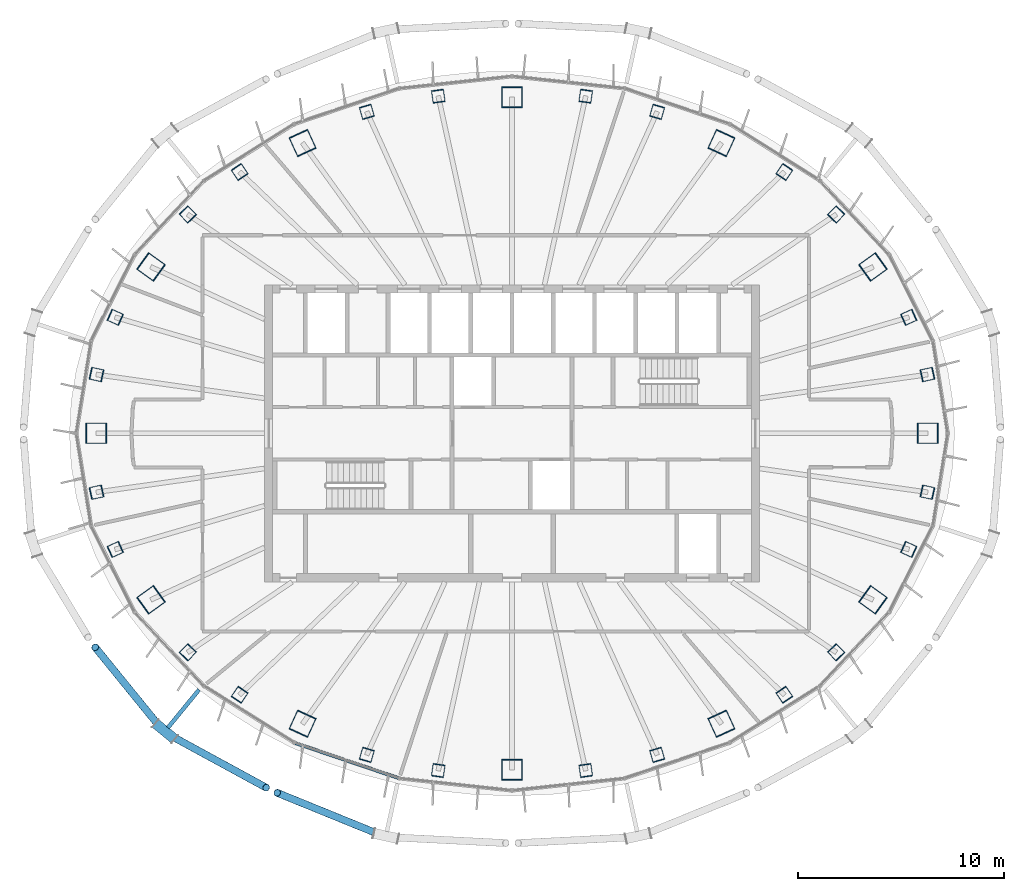
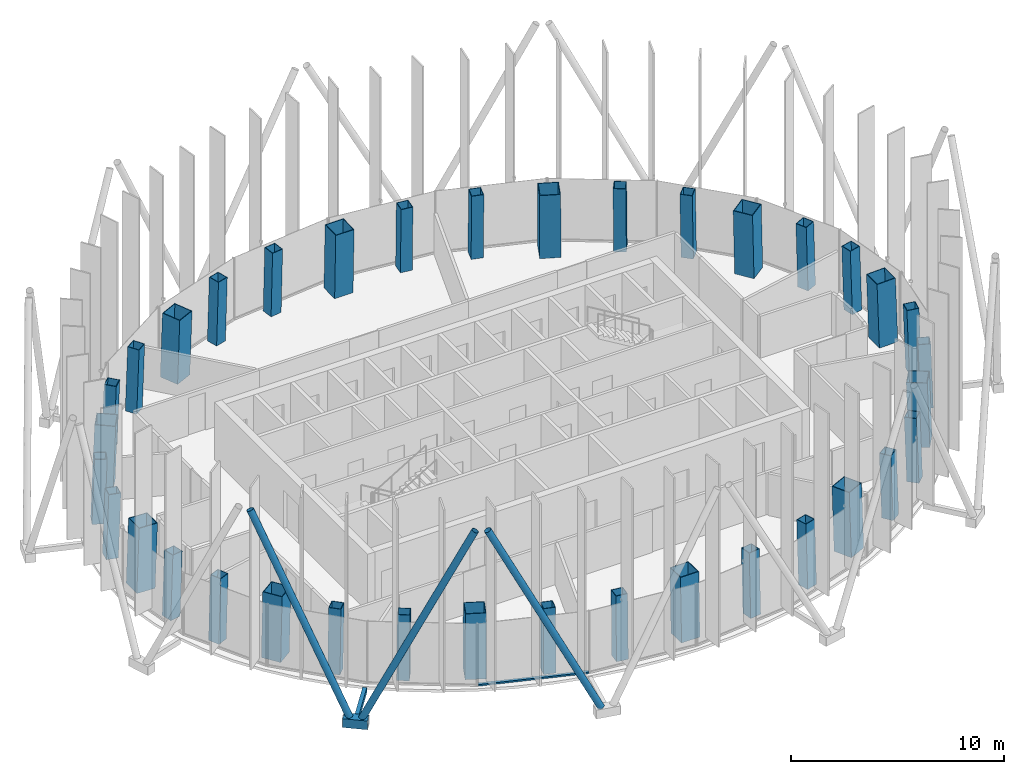
# One storey, part 1 of 19: 36 columns, 6 members, 1 element without a shape of its own.
"""IFC4 building model written with IfcOpenShell, lengths in metres."""

from ifc_helpers import new_model, si_unit, direction, frame, origin, origin_2d, place, context, subcontext, project, spatial, rectangle, hollow_rectangle, hollow_circle, extrude, material, layer, layer_set, material_profile, profile_set, type_object, element, aggregate, save


model = new_model("IFC4")

# Units and contexts
model_context = context("Model", 3, precision=1e-05, world=origin(), true_north=direction((0.0, 1.0)))
body_context = subcontext(model_context, "Body", "Model", "MODEL_VIEW")
ifc_project = project(units=[si_unit("LENGTHUNIT", "METRE"), si_unit("AREAUNIT", "SQUARE_METRE"), si_unit("VOLUMEUNIT", "CUBIC_METRE"), si_unit("PLANEANGLEUNIT", "RADIAN"), si_unit("MASSUNIT", "GRAM", prefix="KILO")], contexts=[model_context])

# Site, building, storey
site_placement = place(None, origin())
site = spatial("IfcSite", under=ifc_project, at=site_placement, CompositionType="ELEMENT")
building_placement = place(site_placement, origin())
building = spatial("IfcBuilding", under=site, at=building_placement, Name="Siaravel Broadcast Tower", CompositionType="ELEMENT")
storey_placement = place(building_placement, frame((0.0, 0.0, 239.300048828125)))
storey = spatial("IfcBuildingStorey", under=building, at=storey_placement, Name="L58", CompositionType="ELEMENT", Elevation=239.300048828125)

# Columns
ifc_material_1 = material(Name="Concrete C70/85", Category="concrete")
ifc_material_profile_1 = material_profile(ifc_material_1, hollow_rectangle(XDim=1.0, YDim=1.0, WallThickness=0.031982421875, at=origin_2d()))
ifc_profile_set_1 = profile_set([ifc_material_profile_1], Name="Concrete C70/85")
column_type_1 = type_object("IfcColumnType", Name="COL-CFT BOX 1000x1000x32", PredefinedType="COLUMN", material=ifc_profile_set_1)
column_1_placement = place(storey_placement, frame((20.159912109375, 0.0, 0.0), z_axis=(-0.034555398, 0.0, 0.999402784), x_axis=(0.0, -1.0, 0.0)))
element("IfcColumn", 1, at=column_1_placement, inside=storey, type_object=column_type_1, Name="Megacolumn MC01", PredefinedType="COLUMN", context=body_context, shape_type="SweptSolid", body=[
    extrude(hollow_rectangle(XDim=1.0, YDim=1.0, WallThickness=0.031982421875, at=origin_2d()), origin(), (0.0, 0.0, 1.0), 3.7021484375),
])
column_2_placement = place(storey_placement, frame((17.512451171875, 8.073486328125, 0.0), z_axis=(-0.029940667, -0.01417895, 0.999451106), x_axis=(0.584425441, -0.811425258, 0.00599622)))
element("IfcColumn", 2, at=column_2_placement, inside=storey, type_object=column_type_1, Name="Megacolumn MC02", PredefinedType="COLUMN", context=body_context, shape_type="SweptSolid", body=[
    extrude(hollow_rectangle(XDim=1.0, YDim=1.0, WallThickness=0.031982421875, at=origin_2d()), origin(), (0.0, 0.0, 1.0), 3.701904296875),
])
column_3_placement = place(storey_placement, frame((10.15966796875, 14.0869140625, 0.0), z_axis=(-0.017280209, -0.024601214, 0.999547985), x_axis=(0.909227321, -0.416264001, 0.005473513)))
element("IfcColumn", 3, at=column_3_placement, inside=storey, type_object=column_type_1, Name="Megacolumn MC03", PredefinedType="COLUMN", context=body_context, shape_type="SweptSolid", body=[
    extrude(hollow_rectangle(XDim=1.0, YDim=1.0, WallThickness=0.031982421875, at=origin_2d()), origin(), (0.0, 0.0, 1.0), 3.70166015625),
])
column_4_placement = place(storey_placement, frame((0.0, 16.314208984375, 0.0), z_axis=(0.0, -0.028296154, 0.999599584), x_axis=(1.0, 0.0, 0.0)))
element("IfcColumn", 4, at=column_4_placement, inside=storey, type_object=column_type_1, Name="Megacolumn MC04", PredefinedType="COLUMN", context=body_context, shape_type="SweptSolid", body=[
    extrude(hollow_rectangle(XDim=1.0, YDim=1.0, WallThickness=0.031982421875, at=origin_2d()), origin(), (0.0, 0.0, 1.0), 3.701416015625),
])
column_5_placement = place(storey_placement, frame((-10.15966796875, 14.0869140625, 0.0), z_axis=(0.017280209, -0.024601214, 0.999547985), x_axis=(0.909227321, 0.416264001, -0.005473513)))
element("IfcColumn", 5, at=column_5_placement, inside=storey, type_object=column_type_1, Name="Megacolumn MC05", PredefinedType="COLUMN", context=body_context, shape_type="SweptSolid", body=[
    extrude(hollow_rectangle(XDim=1.0, YDim=1.0, WallThickness=0.031982421875, at=origin_2d()), origin(), (0.0, 0.0, 1.0), 3.70166015625),
])
column_6_placement = place(storey_placement, frame((-17.512451171875, 8.073486328125, 0.0), z_axis=(0.029940667, -0.01417895, 0.999451106), x_axis=(0.584425441, 0.811425258, -0.00599622)))
element("IfcColumn", 6, at=column_6_placement, inside=storey, type_object=column_type_1, Name="Megacolumn MC06", PredefinedType="COLUMN", context=body_context, shape_type="SweptSolid", body=[
    extrude(hollow_rectangle(XDim=1.0, YDim=1.0, WallThickness=0.031982421875, at=origin_2d()), origin(), (0.0, 0.0, 1.0), 3.701904296875),
])
column_7_placement = place(storey_placement, frame((-20.159912109375, 0.0, 0.0), z_axis=(0.034555398, 0.0, 0.999402784), x_axis=(0.0, 1.0, 0.0)))
element("IfcColumn", 7, at=column_7_placement, inside=storey, type_object=column_type_1, Name="Megacolumn MC07", PredefinedType="COLUMN", context=body_context, shape_type="SweptSolid", body=[
    extrude(hollow_rectangle(XDim=1.0, YDim=1.0, WallThickness=0.031982421875, at=origin_2d()), origin(), (0.0, 0.0, 1.0), 3.7021484375),
])
column_8_placement = place(storey_placement, frame((-17.512451171875, -8.073486328125, 0.0), z_axis=(0.029940667, 0.01417895, 0.999451106), x_axis=(-0.584425441, 0.811425258, 0.00599622)))
element("IfcColumn", 8, at=column_8_placement, inside=storey, type_object=column_type_1, Name="Megacolumn MC08", PredefinedType="COLUMN", context=body_context, shape_type="SweptSolid", body=[
    extrude(hollow_rectangle(XDim=1.0, YDim=1.0, WallThickness=0.031982421875, at=origin_2d()), origin(), (0.0, 0.0, 1.0), 3.701904296875),
])
column_9_placement = place(storey_placement, frame((-10.15966796875, -14.0869140625, 0.0), z_axis=(0.017280209, 0.024601214, 0.999547985), x_axis=(-0.909227321, 0.416264001, 0.005473513)))
element("IfcColumn", 9, at=column_9_placement, inside=storey, type_object=column_type_1, Name="Megacolumn MC09", PredefinedType="COLUMN", context=body_context, shape_type="SweptSolid", body=[
    extrude(hollow_rectangle(XDim=1.0, YDim=1.0, WallThickness=0.031982421875, at=origin_2d()), origin(), (0.0, 0.0, 1.0), 3.70166015625),
])
column_10_placement = place(storey_placement, frame((0.0, -16.314208984375, 0.0), z_axis=(0.0, 0.028296154, 0.999599584), x_axis=(-1.0, 0.0, 0.0)))
element("IfcColumn", 10, at=column_10_placement, inside=storey, type_object=column_type_1, Name="Megacolumn MC10", PredefinedType="COLUMN", context=body_context, shape_type="SweptSolid", body=[
    extrude(hollow_rectangle(XDim=1.0, YDim=1.0, WallThickness=0.031982421875, at=origin_2d()), origin(), (0.0, 0.0, 1.0), 3.701416015625),
])
column_11_placement = place(storey_placement, frame((10.15966796875, -14.0869140625, 0.0), z_axis=(-0.017280209, 0.024601214, 0.999547985), x_axis=(-0.909227321, -0.416264001, -0.005473513)))
element("IfcColumn", 11, at=column_11_placement, inside=storey, type_object=column_type_1, Name="Megacolumn MC11", PredefinedType="COLUMN", context=body_context, shape_type="SweptSolid", body=[
    extrude(hollow_rectangle(XDim=1.0, YDim=1.0, WallThickness=0.031982421875, at=origin_2d()), origin(), (0.0, 0.0, 1.0), 3.70166015625),
])
column_12_placement = place(storey_placement, frame((17.512451171875, -8.073486328125, 0.0), z_axis=(-0.029940667, 0.01417895, 0.999451106), x_axis=(-0.584425441, -0.811425258, -0.00599622)))
element("IfcColumn", 12, at=column_12_placement, inside=storey, type_object=column_type_1, Name="Megacolumn MC12", PredefinedType="COLUMN", context=body_context, shape_type="SweptSolid", body=[
    extrude(hollow_rectangle(XDim=1.0, YDim=1.0, WallThickness=0.031982421875, at=origin_2d()), origin(), (0.0, 0.0, 1.0), 3.701904296875),
])
ifc_material_2 = material(Name="Concrete C50/60", Category="concrete")
ifc_material_profile_2 = material_profile(ifc_material_2, hollow_rectangle(XDim=0.60009765625, YDim=0.60009765625, WallThickness=0.02490234375, at=origin_2d()))
ifc_profile_set_2 = profile_set([ifc_material_profile_2], Name="Concrete C50/60")
column_type_2 = type_object("IfcColumnType", Name="COL-CFT BOX 600x600x25", PredefinedType="COLUMN", material=ifc_profile_set_2)
for number, where, z_axis, x_axis, name in (
    (13, (20.15478515625, 2.855712890625, 0.0), (-0.034028034, -0.004945935, 0.99940864), (0.213908802, -0.976850565, 0.002448905), "Perimeter column C01"),
    (14, (19.24658203125, 5.631103515625, 0.0), (-0.032445914, -0.009694206, 0.999426478), (0.411188583, -0.911539156, 0.004507326), "Perimeter column C02"),
):
    element("IfcColumn", number, at=place(storey_placement, frame(where, z_axis=z_axis, x_axis=x_axis)), inside=storey, type_object=column_type_2, Name=name, PredefinedType="COLUMN", context=body_context, shape_type="SweptSolid", body=[
        extrude(hollow_rectangle(XDim=0.60009765625, YDim=0.60009765625, WallThickness=0.02490234375, at=origin_2d()), origin(), (0.0, 0.0, 1.0), 3.7021484375),
    ])
column_13_placement = place(storey_placement, frame((15.727294921875, 10.62109375, 0.0), z_axis=(-0.026512179, -0.018202391, 0.999482755), x_axis=(0.720830498, -0.693080921, 0.006498418)))
element("IfcColumn", 15, at=column_13_placement, inside=storey, type_object=column_type_2, Name="Perimeter column C03", PredefinedType="COLUMN", context=body_context, shape_type="SweptSolid", body=[
    extrude(hollow_rectangle(XDim=0.60009765625, YDim=0.60009765625, WallThickness=0.02490234375, at=origin_2d()), origin(), (0.0, 0.0, 1.0), 3.701904296875),
])
column_14_placement = place(storey_placement, frame((13.21240234375, 12.680908203125, 0.0), z_axis=(-0.022226156, -0.021698532, 0.999517469), x_axis=(0.828838808, -0.559452161, 0.006285643)))
element("IfcColumn", 16, at=column_14_placement, inside=storey, type_object=column_type_2, Name="Perimeter column C04", PredefinedType="COLUMN", context=body_context, shape_type="SweptSolid", body=[
    extrude(hollow_rectangle(XDim=0.60009765625, YDim=0.60009765625, WallThickness=0.02490234375, at=origin_2d()), origin(), (0.0, 0.0, 1.0), 3.70166015625),
])
for number, where, z_axis, x_axis, name in (
    (17, (7.042724609375, 15.597412109375, 0.0), (-0.011806266, -0.026646544, 0.999575197), (0.960286881, -0.278987199, 0.003905016), "Perimeter column C05"),
    (18, (3.577392578125, 16.35791015625, 0.0), (-0.006002173, -0.027900212, 0.999592693), (0.990205968, -0.139599215, 0.002049375), "Perimeter column C06"),
    (19, (-3.577392578125, 16.35791015625, 0.0), (0.006002173, -0.027900212, 0.999592693), (0.990205968, 0.139599215, -0.002049375), "Perimeter column C07"),
    (20, (-7.042724609375, 15.597412109375, 0.0), (0.011806266, -0.026646544, 0.999575197), (0.960286881, 0.278987199, -0.003905016), "Perimeter column C08"),
):
    element("IfcColumn", number, at=place(storey_placement, frame(where, z_axis=z_axis, x_axis=x_axis)), inside=storey, type_object=column_type_2, Name=name, PredefinedType="COLUMN", context=body_context, shape_type="SweptSolid", body=[
        extrude(hollow_rectangle(XDim=0.60009765625, YDim=0.60009765625, WallThickness=0.02490234375, at=origin_2d()), origin(), (0.0, 0.0, 1.0), 3.701416015625),
    ])
column_15_placement = place(storey_placement, frame((-13.21240234375, 12.680908203125, 0.0), z_axis=(0.022226156, -0.021698532, 0.999517469), x_axis=(0.828838808, 0.559452161, -0.006285643)))
element("IfcColumn", 21, at=column_15_placement, inside=storey, type_object=column_type_2, Name="Perimeter column C09", PredefinedType="COLUMN", context=body_context, shape_type="SweptSolid", body=[
    extrude(hollow_rectangle(XDim=0.60009765625, YDim=0.60009765625, WallThickness=0.02490234375, at=origin_2d()), origin(), (0.0, 0.0, 1.0), 3.70166015625),
])
column_16_placement = place(storey_placement, frame((-15.727294921875, 10.62109375, 0.0), z_axis=(0.026512179, -0.018202391, 0.999482755), x_axis=(0.720830498, 0.693080921, -0.006498418)))
element("IfcColumn", 22, at=column_16_placement, inside=storey, type_object=column_type_2, Name="Perimeter column C10", PredefinedType="COLUMN", context=body_context, shape_type="SweptSolid", body=[
    extrude(hollow_rectangle(XDim=0.60009765625, YDim=0.60009765625, WallThickness=0.02490234375, at=origin_2d()), origin(), (0.0, 0.0, 1.0), 3.701904296875),
])
for number, where, z_axis, x_axis, name in (
    (23, (-19.24658203125, 5.631103515625, 0.0), (0.032445914, -0.009694206, 0.999426478), (0.411188583, 0.911539156, -0.004507326), "Perimeter column C11"),
    (24, (-20.15478515625, 2.855712890625, 0.0), (0.034028034, -0.004945935, 0.99940864), (0.213908802, 0.976850565, -0.002448905), "Perimeter column C12"),
    (25, (-20.15478515625, -2.855712890625, 0.0), (0.034028034, 0.004945935, 0.99940864), (-0.213908802, 0.976850565, 0.002448905), "Perimeter column C13"),
    (26, (-19.24658203125, -5.631103515625, 0.0), (0.032445914, 0.009694206, 0.999426478), (-0.411188583, 0.911539156, 0.004507326), "Perimeter column C14"),
):
    element("IfcColumn", number, at=place(storey_placement, frame(where, z_axis=z_axis, x_axis=x_axis)), inside=storey, type_object=column_type_2, Name=name, PredefinedType="COLUMN", context=body_context, shape_type="SweptSolid", body=[
        extrude(hollow_rectangle(XDim=0.60009765625, YDim=0.60009765625, WallThickness=0.02490234375, at=origin_2d()), origin(), (0.0, 0.0, 1.0), 3.7021484375),
    ])
column_17_placement = place(storey_placement, frame((-15.727294921875, -10.62109375, 0.0), z_axis=(0.026512179, 0.018202391, 0.999482755), x_axis=(-0.720830498, 0.693080921, 0.006498418)))
element("IfcColumn", 27, at=column_17_placement, inside=storey, type_object=column_type_2, Name="Perimeter column C15", PredefinedType="COLUMN", context=body_context, shape_type="SweptSolid", body=[
    extrude(hollow_rectangle(XDim=0.60009765625, YDim=0.60009765625, WallThickness=0.02490234375, at=origin_2d()), origin(), (0.0, 0.0, 1.0), 3.701904296875),
])
column_18_placement = place(storey_placement, frame((-13.21240234375, -12.680908203125, 0.0), z_axis=(0.022226156, 0.021698532, 0.999517469), x_axis=(-0.828838808, 0.559452161, 0.006285643)))
element("IfcColumn", 28, at=column_18_placement, inside=storey, type_object=column_type_2, Name="Perimeter column C16", PredefinedType="COLUMN", context=body_context, shape_type="SweptSolid", body=[
    extrude(hollow_rectangle(XDim=0.60009765625, YDim=0.60009765625, WallThickness=0.02490234375, at=origin_2d()), origin(), (0.0, 0.0, 1.0), 3.70166015625),
])
for number, where, z_axis, x_axis, name in (
    (29, (-7.042724609375, -15.597412109375, 0.0), (0.011806266, 0.026646544, 0.999575197), (-0.960286881, 0.278987199, 0.003905016), "Perimeter column C17"),
    (30, (-3.577392578125, -16.35791015625, 0.0), (0.006002173, 0.027900212, 0.999592693), (-0.990205968, 0.139599215, 0.002049375), "Perimeter column C18"),
    (31, (3.577392578125, -16.35791015625, 0.0), (-0.006002173, 0.027900212, 0.999592693), (-0.990205968, -0.139599215, -0.002049375), "Perimeter column C19"),
    (32, (7.042724609375, -15.597412109375, 0.0), (-0.011806266, 0.026646544, 0.999575197), (-0.960286881, -0.278987199, -0.003905016), "Perimeter column C20"),
):
    element("IfcColumn", number, at=place(storey_placement, frame(where, z_axis=z_axis, x_axis=x_axis)), inside=storey, type_object=column_type_2, Name=name, PredefinedType="COLUMN", context=body_context, shape_type="SweptSolid", body=[
        extrude(hollow_rectangle(XDim=0.60009765625, YDim=0.60009765625, WallThickness=0.02490234375, at=origin_2d()), origin(), (0.0, 0.0, 1.0), 3.701416015625),
    ])
column_19_placement = place(storey_placement, frame((13.21240234375, -12.680908203125, 0.0), z_axis=(-0.022226156, 0.021698532, 0.999517469), x_axis=(-0.828838808, -0.559452161, -0.006285643)))
element("IfcColumn", 33, at=column_19_placement, inside=storey, type_object=column_type_2, Name="Perimeter column C21", PredefinedType="COLUMN", context=body_context, shape_type="SweptSolid", body=[
    extrude(hollow_rectangle(XDim=0.60009765625, YDim=0.60009765625, WallThickness=0.02490234375, at=origin_2d()), origin(), (0.0, 0.0, 1.0), 3.70166015625),
])
column_20_placement = place(storey_placement, frame((15.727294921875, -10.62109375, 0.0), z_axis=(-0.026512179, 0.018202391, 0.999482755), x_axis=(-0.720830498, -0.693080921, -0.006498418)))
element("IfcColumn", 34, at=column_20_placement, inside=storey, type_object=column_type_2, Name="Perimeter column C22", PredefinedType="COLUMN", context=body_context, shape_type="SweptSolid", body=[
    extrude(hollow_rectangle(XDim=0.60009765625, YDim=0.60009765625, WallThickness=0.02490234375, at=origin_2d()), origin(), (0.0, 0.0, 1.0), 3.701904296875),
])
for number, where, z_axis, x_axis, name in (
    (35, (19.24658203125, -5.631103515625, 0.0), (-0.032445914, 0.009694206, 0.999426478), (-0.411188583, -0.911539156, -0.004507326), "Perimeter column C23"),
    (36, (20.15478515625, -2.855712890625, 0.0), (-0.034028034, 0.004945935, 0.99940864), (-0.213908802, -0.976850565, -0.002448905), "Perimeter column C24"),
):
    element("IfcColumn", number, at=place(storey_placement, frame(where, z_axis=z_axis, x_axis=x_axis)), inside=storey, type_object=column_type_2, Name=name, PredefinedType="COLUMN", context=body_context, shape_type="SweptSolid", body=[
        extrude(hollow_rectangle(XDim=0.60009765625, YDim=0.60009765625, WallThickness=0.02490234375, at=origin_2d()), origin(), (0.0, 0.0, 1.0), 3.7021484375),
    ])

# Curtain wall, member
ifc_material_3 = material(Name="Aluminium 6063-T6", Category="aluminium")
ifc_layer = layer(ifc_material_3, 0.159912109375)
ifc_layer_set = layer_set([ifc_layer], Name="Aluminium 6063-T6")
curtain_wall_type = type_object("IfcCurtainWallType", Name="Unitised curtain wall, zone 4", PredefinedType="NOTDEFINED", material=ifc_layer_set)
curtain_wall_placement = place(storey_placement, origin())
curtain_wall = element("IfcCurtainWall", 37, at=curtain_wall_placement, inside=storey, type_object=curtain_wall_type, Name="L58 Unitised curtain wall, zone 4 09", PredefinedType="NOTDEFINED")
ifc_material_profile_3 = material_profile(ifc_material_3, rectangle(XDim=0.159912109375, YDim=0.090087890625, at=origin_2d()))
ifc_profile_set_3 = profile_set([ifc_material_profile_3], Name="Aluminium 6063-T6")
member_type_1 = type_object("IfcMemberType", Name="CW-Z4 transom", PredefinedType="USERDEFINED", material=ifc_profile_set_3)
member_1_placement = place(storey_placement, frame((-10.503173828125, -15.0078125, 0.044921875), z_axis=(0.946972687, -0.321314067, 0.0), x_axis=(0.321314067, 0.946972687, 0.0)))
member_1 = element("IfcMember", 38, at=member_1_placement, type_object=member_type_1, Name="CW-Z4 transom 1", ObjectType="TRANSOM", PredefinedType="USERDEFINED", context=body_context, shape_type="SweptSolid", body=[
    extrude(rectangle(XDim=0.159912109375, YDim=0.090087890625, at=origin_2d()), origin(), (0.0, 0.0, 1.0), 5.29443359375),
])
aggregate(curtain_wall, [member_1])

# Members
ifc_material_4 = material(Name="Steel S460", Category="steel")
ifc_material_profile_4 = material_profile(ifc_material_4, hollow_circle(Radius=0.177734375, WallThickness=0.012451171875, at=origin_2d()))
ifc_profile_set_4 = profile_set([ifc_material_profile_4], Name="Steel S460")
member_type_2 = type_object("IfcMemberType", Name="Diagrid diagonal CHS 355.6x12.5", PredefinedType="BRACE", material=ifc_profile_set_4)
member_2_placement = place(storey_placement, frame((-17.045166015625, -14.2490234375, 0.02001953125), z_axis=(-0.267942774, 0.329605067, 0.905299492), x_axis=(-0.775954218, -0.630789229, 0.0)))
element("IfcMember", 39, at=member_2_placement, inside=storey, type_object=member_type_2, Name="Diagrid diagonal R24 station 45C", PredefinedType="BRACE", context=body_context, shape_type="SweptSolid", body=[
    extrude(hollow_circle(Radius=0.177734375, WallThickness=0.012451171875, at=origin_2d()), origin(), (0.0, 0.0, 1.0), 11.77490234375),
])
member_3_placement = place(storey_placement, frame((-16.587646484375, -14.623779296875, 0.02001953125), z_axis=(0.392366041, -0.2136099, 0.89466178), x_axis=(0.478148218, 0.878279159, 0.0)))
element("IfcMember", 40, at=member_3_placement, inside=storey, type_object=member_type_2, Name="Diagrid diagonal R24 station 45A", PredefinedType="BRACE", context=body_context, shape_type="SweptSolid", body=[
    extrude(hollow_circle(Radius=0.177734375, WallThickness=0.012451171875, at=origin_2d()), origin(), (0.0, 0.0, 1.0), 11.9150390625),
])
member_4_placement = place(storey_placement, frame((-6.398193359375, -19.448974609375, 0.02001953125), z_axis=(-0.417112386, 0.169805925, 0.892851167), x_axis=(-0.377051682, -0.926192221, 0.0)))
element("IfcMember", 41, at=member_4_placement, inside=storey, type_object=member_type_2, Name="Diagrid diagonal R24 station 51C", PredefinedType="BRACE", context=body_context, shape_type="SweptSolid", body=[
    extrude(hollow_circle(Radius=0.177734375, WallThickness=0.012451171875, at=origin_2d()), origin(), (0.0, 0.0, 1.0), 11.939208984375),
])
ifc_material_profile_5 = material_profile(ifc_material_4, hollow_rectangle(XDim=0.5, YDim=0.5, WallThickness=0.031982421875, at=origin_2d()))
ifc_profile_set_5 = profile_set([ifc_material_profile_5], Name="Steel S460")
member_type_3 = type_object("IfcMemberType", Name="Diagrid node BOX 500x500x32", PredefinedType="USERDEFINED", material=ifc_profile_set_5)
member_5_placement = place(storey_placement, frame((-17.275390625, -14.060302734375, -0.199951171875), z_axis=(0.773489646, -0.633808936, 0.0), x_axis=(0.633808936, 0.773489646, 0.0)))
element("IfcMember", 42, at=member_5_placement, inside=storey, type_object=member_type_3, Name="Diagrid node R24 station 45", ObjectType="DIAGRID NODE", PredefinedType="USERDEFINED", context=body_context, shape_type="SweptSolid", body=[
    extrude(hollow_rectangle(XDim=0.5, YDim=0.5, WallThickness=0.031982421875, at=origin_2d()), origin(), (0.0, 0.0, 1.0), 1.186767578125),
])
ifc_material_profile_6 = material_profile(ifc_material_4, hollow_rectangle(XDim=0.199951171875, YDim=0.300048828125, WallThickness=0.012451171875, at=origin_2d()))
ifc_profile_set_6 = profile_set([ifc_material_profile_6], Name="Steel S460")
member_type_4 = type_object("IfcMemberType", Name="Diagrid node arm RHS 300x200x12.5", PredefinedType="STRUT", material=ifc_profile_set_6)
member_6_placement = place(storey_placement, frame((-15.1689453125, -12.425048828125, -0.199951171875), z_axis=(-0.633673426, -0.773600665, 0.0), x_axis=(0.773600665, -0.633673426, 0.0)))
element("IfcMember", 43, at=member_6_placement, inside=storey, type_object=member_type_4, Name="Node arm R24 station 45", PredefinedType="STRUT", context=body_context, shape_type="SweptSolid", body=[
    extrude(hollow_rectangle(XDim=0.199951171875, YDim=0.300048828125, WallThickness=0.012451171875, at=origin_2d()), origin(), (0.0, 0.0, 1.0), 2.3798828125),
])

save(model, "model.ifc")
